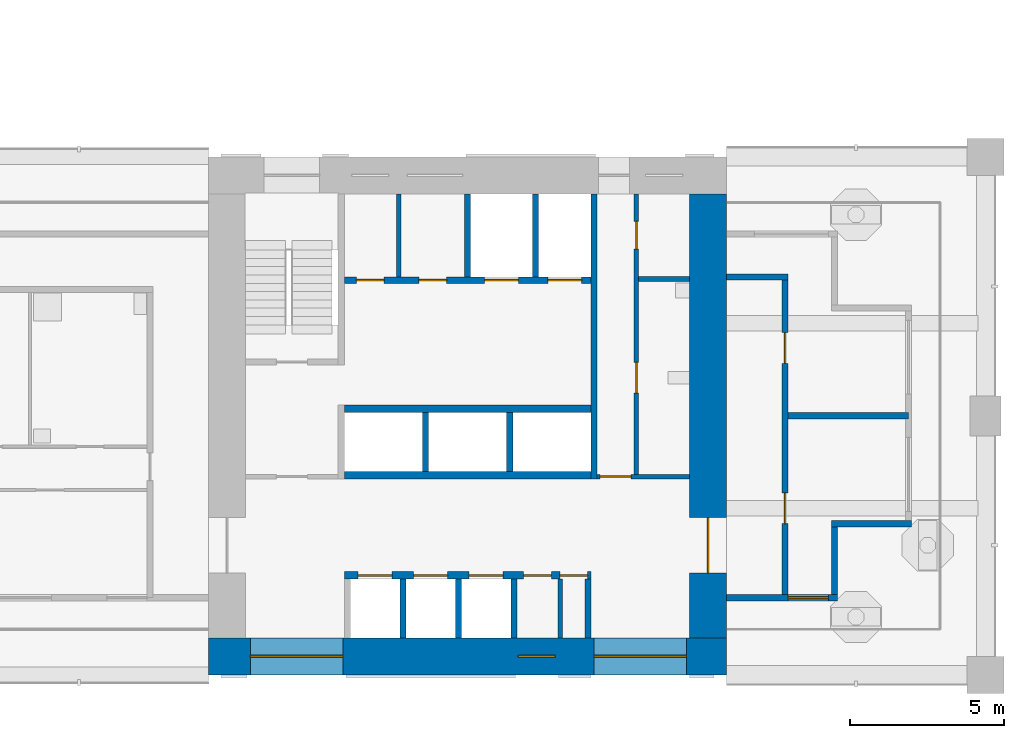
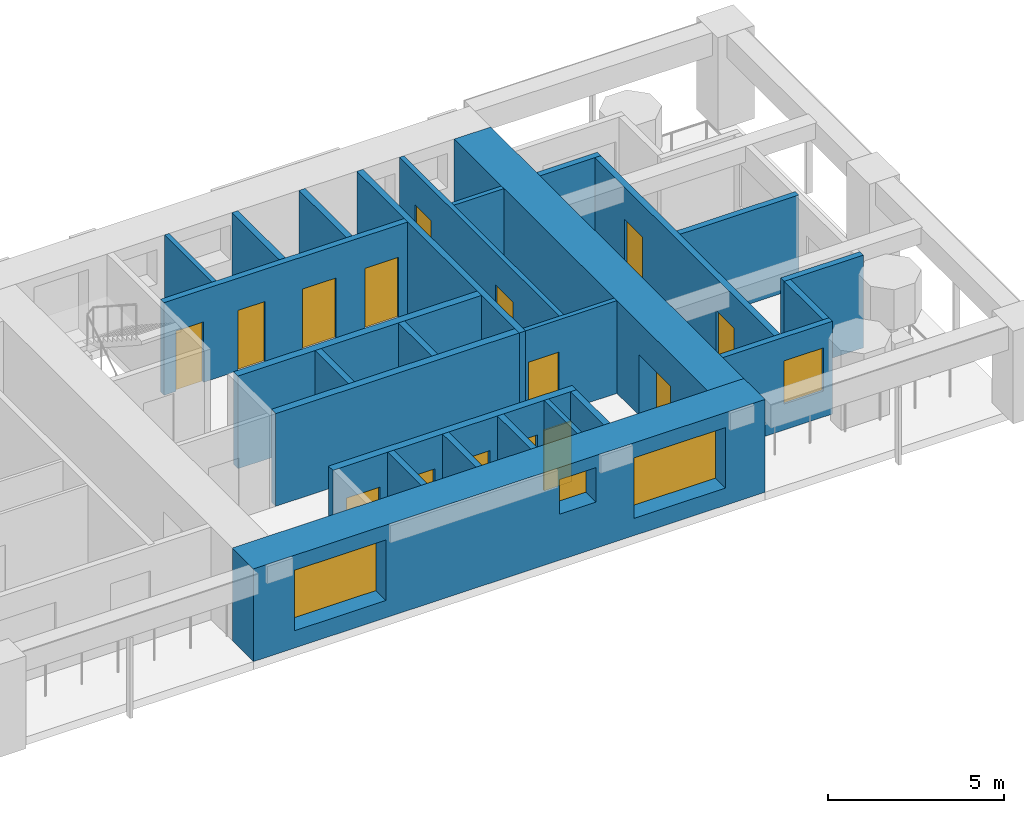
# One storey, part 5 of 18: 26 walls, 15 doors, 4 windows, 19 openings.
"""IFC4 building model written with IfcOpenShell, lengths in metres."""

from ifc_helpers import new_model, si_unit, direction, frame, frame_2d, origin, place, context, subcontext, project, spatial, rectangle, extrude, material, layer, layer_set, type_object, element, fill, save


model = new_model("IFC4")

# Units and contexts
model_context = context("Model", 3, precision=1e-05, world=origin(), true_north=direction((0.0, 1.0)))
body_context = subcontext(model_context, "Body", "Model", "MODEL_VIEW")
ifc_project = project(units=[si_unit("LENGTHUNIT", "METRE"), si_unit("AREAUNIT", "SQUARE_METRE"), si_unit("VOLUMEUNIT", "CUBIC_METRE"), si_unit("PLANEANGLEUNIT", "RADIAN"), si_unit("MASSUNIT", "GRAM", prefix="KILO")], contexts=[model_context])

# Site, building, storey
site_placement = place(None, origin())
site = spatial("IfcSite", under=ifc_project, at=site_placement, CompositionType="ELEMENT")
building_placement = place(site_placement, origin())
building = spatial("IfcBuilding", under=site, at=building_placement, Name="Vermilion Gate Residences", CompositionType="ELEMENT")
storey_placement = place(building_placement, frame((0.0, 0.0, 133.699951171875)))
storey = spatial("IfcBuildingStorey", under=building, at=storey_placement, Name="L34", CompositionType="ELEMENT", Elevation=133.699951171875)

# Walls
ifc_material_1 = material(Name="Masonry blockwork", Category="masonry")
ifc_layer_1 = layer(ifc_material_1, 0.14990234375)
ifc_layer_set_1 = layer_set([ifc_layer_1], Name="BLOCKWORK PARTITION 150 EI 120")
wall_type_1 = type_object("IfcWallType", Name="BLOCKWORK PARTITION 150 EI 120", PredefinedType="PARTITIONING", material=ifc_layer_set_1)
wall_1_placement = place(storey_placement, frame((53.407470703125, 9.60009765625, 0.0), z_axis=(0.0, 0.0, 1.0), x_axis=(0.0, 1.0, 0.0)))
element("IfcWall", 1, at=wall_1_placement, inside=storey, type_object=wall_type_1, Name="Core room partition A34-SR-P0", PredefinedType="PARTITIONING", context=body_context, shape_type="SweptSolid", body=[
    extrude(rectangle(XDim=1.89990234375, YDim=0.14990234375, at=frame_2d((0.949951171875, 0.0))), origin(), (0.0, 0.0, 1.0), 3.219970703125),
])
wall_2_placement = place(storey_placement, frame((48.16259765625, 21.300048828125, 0.0), z_axis=(0.0, 0.0, 1.0), x_axis=(0.0, 1.0, 0.0)))
element("IfcWall", 2, at=wall_2_placement, inside=storey, type_object=wall_type_1, Name="Core room partition A34-NR-P0", PredefinedType="PARTITIONING", context=body_context, shape_type="SweptSolid", body=[
    extrude(rectangle(XDim=2.699951171875, YDim=0.14990234375, at=frame_2d((1.35009765625, 0.0))), origin(), (0.0, 0.0, 1.0), 3.219970703125),
])

# Wall, opening, door
wall_3_placement = place(storey_placement, frame((54.60009765625, 14.824951171875, 0.0), z_axis=(0.0, 0.0, 1.0), x_axis=(1.0, 0.0, 0.0)))
wall_3 = element("IfcWall", 3, at=wall_3_placement, inside=storey, type_object=wall_type_1, Name="Core room partition A34-ES-S", PredefinedType="PARTITIONING", context=body_context, shape_type="SweptSolid", body=[
    extrude(rectangle(XDim=3.0, YDim=0.14990234375, at=frame_2d((1.5, 0.0))), origin(), (0.0, 0.0, 1.0), 3.219970703125),
])
opening_1_placement = place(wall_3_placement, frame((0.10009765625, 0.0, 0.0)))
opening_1 = element("IfcOpeningElement", 4, at=opening_1_placement, cuts=wall_3, Name="Opening DK34014", PredefinedType="OPENING", context=body_context, shape_type="SweptSolid", body=[
    extrude(rectangle(XDim=1.0, YDim=2.10009765625, at=frame_2d((0.5, 1.050048828125))), frame((0.0, 0.0849609375, 0.0), z_axis=(0.0, -1.0, 0.0), x_axis=(1.0, 0.0, 0.0)), (0.0, 0.0, 1.0), 0.169921875),
])
ifc_material_2 = material(Name="Steel", Category="steel")
door_type_1 = type_object("IfcDoorType", Name="FIRE DOOR FD60 1000 X 2100", OperationType="SINGLE_SWING_LEFT", PredefinedType="DOOR", material=ifc_material_2)
door_1_placement = place(opening_1_placement, frame((1.0, 0.0, 0.0), z_axis=(0.0, 0.0, 1.0), x_axis=(-1.0, 0.0, 0.0)))
door_1 = element("IfcDoor", 5, at=door_1_placement, inside=storey, type_object=door_type_1, Name="Service corridor door A34", OperationType="SINGLE_SWING_LEFT", OverallHeight=2.10009765625, OverallWidth=1.0, PredefinedType="DOOR", context=body_context, shape_type="SweptSolid", body=[
    extrude(rectangle(XDim=1.0, YDim=2.10009765625, at=frame_2d((0.5, 1.050048828125))), frame((0.0, 0.02490234375, 0.0), z_axis=(0.0, -1.0, 0.0), x_axis=(1.0, 0.0, 0.0)), (0.0, 0.0, 1.0), 0.050048828125),
])
fill(opening_1, door_1)

# Wall
wall_4_placement = place(storey_placement, frame((55.949951171875, 21.239990234375, 0.0), z_axis=(0.0, 0.0, 1.0), x_axis=(1.0, 0.0, 0.0)))
element("IfcWall", 6, at=wall_4_placement, inside=storey, type_object=wall_type_1, Name="Core room partition A34-ES-P0", PredefinedType="PARTITIONING", context=body_context, shape_type="SweptSolid", body=[
    extrude(rectangle(XDim=1.650146484375, YDim=0.14990234375, at=frame_2d((0.8251953125, 0.0))), origin(), (0.0, 0.0, 1.0), 3.219970703125),
])

# Wall, openings, doors
wall_5_placement = place(storey_placement, frame((55.875, 14.89990234375, 0.0), z_axis=(0.0, 0.0, 1.0), x_axis=(0.0, 1.0, 0.0)))
wall_5 = element("IfcWall", 7, at=wall_5_placement, inside=storey, type_object=wall_type_1, Name="Core room partition A34-ES-W", PredefinedType="PARTITIONING", context=body_context, shape_type="SweptSolid", body=[
    extrude(rectangle(XDim=9.10009765625, YDim=0.14990234375, at=frame_2d((4.550048828125, 0.0))), origin(), (0.0, 0.0, 1.0), 3.219970703125),
])
opening_2_placement = place(wall_5_placement, frame((2.632568359375, 0.0, 0.0)))
opening_2 = element("IfcOpeningElement", 8, at=opening_2_placement, cuts=wall_5, Name="Opening DK34015", PredefinedType="OPENING", context=body_context, shape_type="SweptSolid", body=[
    extrude(rectangle(XDim=1.0, YDim=2.10009765625, at=frame_2d((0.5, 1.050048828125))), frame((0.0, 0.0849609375, 0.0), z_axis=(0.0, -1.0, 0.0), x_axis=(1.0, 0.0, 0.0)), (0.0, 0.0, 1.0), 0.169921875),
])
opening_3_placement = place(wall_5_placement, frame((7.3076171875, 0.0, 0.0)))
opening_3 = element("IfcOpeningElement", 9, at=opening_3_placement, cuts=wall_5, Name="Opening DK34016", PredefinedType="OPENING", context=body_context, shape_type="SweptSolid", body=[
    extrude(rectangle(XDim=0.89990234375, YDim=2.10009765625, at=frame_2d((0.449951171875, 1.050048828125))), frame((0.0, 0.0849609375, 0.0), z_axis=(0.0, -1.0, 0.0), x_axis=(1.0, 0.0, 0.0)), (0.0, 0.0, 1.0), 0.169921875),
])
door_2_placement = place(opening_2_placement, frame((1.0, 0.0, 0.0), z_axis=(0.0, 0.0, 1.0), x_axis=(-1.0, 0.0, 0.0)))
door_2 = element("IfcDoor", 10, at=door_2_placement, inside=storey, type_object=door_type_1, Name="Accessible WC A34", OperationType="SINGLE_SWING_RIGHT", OverallHeight=2.10009765625, OverallWidth=1.0, PredefinedType="DOOR", context=body_context, shape_type="SweptSolid", body=[
    extrude(rectangle(XDim=1.0, YDim=2.10009765625, at=frame_2d((0.5, 1.050048828125))), frame((0.0, 0.02490234375, 0.0), z_axis=(0.0, -1.0, 0.0), x_axis=(1.0, 0.0, 0.0)), (0.0, 0.0, 1.0), 0.050048828125),
])
fill(opening_2, door_2)
ifc_material_3 = material(Name="Steel", Category="steel")
door_type_2 = type_object("IfcDoorType", Name="SERVICE ROOM DOOR FD60 900 X 2100", OperationType="SINGLE_SWING_LEFT", PredefinedType="DOOR", material=ifc_material_3)
door_3_placement = place(opening_3_placement, frame((0.89990234375, 0.0, 0.0), z_axis=(0.0, 0.0, 1.0), x_axis=(-1.0, 0.0, 0.0)))
door_3 = element("IfcDoor", 11, at=door_3_placement, inside=storey, type_object=door_type_2, Name="Communications room A34", OperationType="SINGLE_SWING_LEFT", OverallHeight=2.10009765625, OverallWidth=0.89990234375, PredefinedType="DOOR", context=body_context, shape_type="SweptSolid", body=[
    extrude(rectangle(XDim=0.89990234375, YDim=2.10009765625, at=frame_2d((0.449951171875, 1.050048828125))), frame((0.0, 0.02490234375, 0.0), z_axis=(0.0, -1.0, 0.0), x_axis=(1.0, 0.0, 0.0)), (0.0, 0.0, 1.0), 0.050048828125),
])
fill(opening_3, door_3)

# Wall, opening, window
ifc_material_4 = material(Name="Insulated steel stud wall with terracotta rainscreen", Category="masonry")
ifc_layer_2 = layer(ifc_material_4, 0.199951171875)
ifc_layer_set_2 = layer_set([ifc_layer_2], Name="EXTERNAL WALL 200 TERRACOTTA RAINSCREEN")
wall_type_2 = type_object("IfcWallType", Name="EXTERNAL WALL 200 TERRACOTTA RAINSCREEN", PredefinedType="SOLIDWALL", material=ifc_layer_set_2)
wall_6_placement = place(storey_placement, frame((58.800048828125, 10.89990234375, 0.0), z_axis=(0.0, 0.0, 1.0), x_axis=(1.0, 0.0, 0.0)))
wall_6 = element("IfcWall", 12, at=wall_6_placement, inside=storey, type_object=wall_type_2, Name="External wall", PredefinedType="SOLIDWALL", context=body_context, shape_type="SweptSolid", body=[
    extrude(rectangle(XDim=3.599853515625, YDim=0.199951171875, at=frame_2d((1.7998046875, 0.0))), origin(), (0.0, 0.0, 1.0), 3.219970703125),
])
opening_4_placement = place(wall_6_placement, frame((2.0, 0.0, 0.89990234375)))
opening_4 = element("IfcOpeningElement", 13, at=opening_4_placement, cuts=wall_6, Name="Opening WE34020", PredefinedType="OPENING", context=body_context, shape_type="SweptSolid", body=[
    extrude(rectangle(XDim=1.300048828125, YDim=1.5, at=frame_2d((0.64990234375, 0.75))), frame((0.0, 0.10986328125, 0.0), z_axis=(0.0, -1.0, 0.0), x_axis=(1.0, 0.0, 0.0)), (0.0, 0.0, 1.0), 0.219970703125),
])
ifc_material_5 = material(Name="Aluminium and clear glass", Category="aluminium")
window_type_1 = type_object("IfcWindowType", Name="WINDOW 1300 X 1500", PartitioningType="SINGLE_PANEL", PredefinedType="WINDOW", material=ifc_material_5)
window_1_placement = place(opening_4_placement, origin())
window_1 = element("IfcWindow", 14, at=window_1_placement, inside=storey, type_object=window_type_1, Name="Window", OverallHeight=1.5, OverallWidth=1.300048828125, PartitioningType="SINGLE_PANEL", PredefinedType="WINDOW", context=body_context, shape_type="SweptSolid", body=[
    extrude(rectangle(XDim=1.300048828125, YDim=1.5, at=frame_2d((0.64990234375, 0.75))), frame((0.0, 0.030029296875, 0.0), z_axis=(0.0, -1.0, 0.0), x_axis=(1.0, 0.0, 0.0)), (0.0, 0.0, 1.0), 0.06005859375),
])
fill(opening_4, window_1)

# Walls
wall_7_placement = place(storey_placement, frame((62.300048828125, 11.0, 0.0), z_axis=(0.0, 0.0, 1.0), x_axis=(0.0, 1.0, 0.0)))
element("IfcWall", 15, at=wall_7_placement, inside=storey, type_object=wall_type_2, Name="External wall", PredefinedType="SOLIDWALL", context=body_context, shape_type="SweptSolid", body=[
    extrude(rectangle(XDim=2.199951171875, YDim=0.199951171875, at=frame_2d((1.10009765625, 0.0))), origin(), (0.0, 0.0, 1.0), 3.219970703125),
])
wall_8_placement = place(storey_placement, frame((62.199951171875, 13.300048828125, 0.0), z_axis=(0.0, 0.0, 1.0), x_axis=(1.0, 0.0, 0.0)))
element("IfcWall", 16, at=wall_8_placement, inside=storey, type_object=wall_type_2, Name="External wall", PredefinedType="SOLIDWALL", context=body_context, shape_type="SweptSolid", body=[
    extrude(rectangle(XDim=2.60009765625, YDim=0.199951171875, at=frame_2d((1.300048828125, 0.0))), origin(), (0.0, 0.0, 1.0), 3.219970703125),
])
ifc_material_6 = material(Name="Fire-rated plasterboard on steel studs", Category="steel")
ifc_layer_3 = layer(ifc_material_6, 0.199951171875)
ifc_layer_set_3 = layer_set([ifc_layer_3], Name="PARTY WALL 200 EI 120")
wall_type_3 = type_object("IfcWallType", Name="PARTY WALL 200 EI 120", PredefinedType="PARTITIONING", material=ifc_layer_set_3)
wall_9_placement = place(storey_placement, frame((60.800048828125, 16.800048828125, 0.0), z_axis=(0.0, 0.0, 1.0), x_axis=(1.0, 0.0, 0.0)))
element("IfcWall", 17, at=wall_9_placement, inside=storey, type_object=wall_type_3, Name="Party and corridor wall", PredefinedType="PARTITIONING", context=body_context, shape_type="SweptSolid", body=[
    extrude(rectangle(XDim=3.89990234375, YDim=0.199951171875, at=frame_2d((1.949951171875, 0.0))), origin(), (0.0, 0.0, 1.0), 3.219970703125),
])
wall_10_placement = place(storey_placement, frame((58.800048828125, 21.300048828125, 0.0), z_axis=(0.0, 0.0, 1.0), x_axis=(1.0, 0.0, 0.0)))
element("IfcWall", 18, at=wall_10_placement, inside=storey, type_object=wall_type_3, Name="Party and corridor wall", PredefinedType="PARTITIONING", context=body_context, shape_type="SweptSolid", body=[
    extrude(rectangle(XDim=2.0, YDim=0.199951171875, at=frame_2d((1.0, 0.0))), origin(), (0.0, 0.0, 1.0), 3.219970703125),
])

# Wall, openings, doors
wall_11_placement = place(storey_placement, frame((60.699951171875, 10.89990234375, 0.0), z_axis=(0.0, 0.0, 1.0), x_axis=(0.0, 1.0, 0.0)))
wall_11 = element("IfcWall", 19, at=wall_11_placement, inside=storey, type_object=wall_type_3, Name="Party and corridor wall", PredefinedType="PARTITIONING", context=body_context, shape_type="SweptSolid", body=[
    extrude(rectangle(XDim=10.300048828125, YDim=0.199951171875, at=frame_2d((5.14990234375, 0.0))), origin(), (0.0, 0.0, 1.0), 3.219970703125),
])
opening_5_placement = place(wall_11_placement, frame((2.39990234375, 0.0, 0.0)))
opening_5 = element("IfcOpeningElement", 20, at=opening_5_placement, cuts=wall_11, Name="Opening DA34041", PredefinedType="OPENING", context=body_context, shape_type="SweptSolid", body=[
    extrude(rectangle(XDim=1.0, YDim=2.10009765625, at=frame_2d((0.5, 1.050048828125))), frame((0.0, 0.10986328125, 0.0), z_axis=(0.0, -1.0, 0.0), x_axis=(1.0, 0.0, 0.0)), (0.0, 0.0, 1.0), 0.219970703125),
])
opening_6_placement = place(wall_11_placement, frame((7.60009765625, 0.0, 0.0)))
opening_6 = element("IfcOpeningElement", 21, at=opening_6_placement, cuts=wall_11, Name="Opening DA34042", PredefinedType="OPENING", context=body_context, shape_type="SweptSolid", body=[
    extrude(rectangle(XDim=1.0, YDim=2.10009765625, at=frame_2d((0.5, 1.050048828125))), frame((0.0, 0.10986328125, 0.0), z_axis=(0.0, -1.0, 0.0), x_axis=(1.0, 0.0, 0.0)), (0.0, 0.0, 1.0), 0.219970703125),
])
ifc_material_7 = material(Name="Steel", Category="steel")
door_type_3 = type_object("IfcDoorType", Name="ENTRANCE DOOR 1000 X 2100 FD30", OperationType="SINGLE_SWING_LEFT", PredefinedType="DOOR", material=ifc_material_7)
door_4_placement = place(opening_5_placement, frame((1.0, 0.0, 0.0), z_axis=(0.0, 0.0, 1.0), x_axis=(-1.0, 0.0, 0.0)))
door_4 = element("IfcDoor", 22, at=door_4_placement, inside=storey, type_object=door_type_3, Name="Entrance door", OperationType="SINGLE_SWING_RIGHT", OverallHeight=2.10009765625, OverallWidth=1.0, PredefinedType="DOOR", context=body_context, shape_type="SweptSolid", body=[
    extrude(rectangle(XDim=1.0, YDim=2.10009765625, at=frame_2d((0.5, 1.050048828125))), frame((0.0, 0.02490234375, 0.0), z_axis=(0.0, -1.0, 0.0), x_axis=(1.0, 0.0, 0.0)), (0.0, 0.0, 1.0), 0.050048828125),
])
fill(opening_5, door_4)
door_5_placement = place(opening_6_placement, frame((1.0, 0.0, 0.0), z_axis=(0.0, 0.0, 1.0), x_axis=(-1.0, 0.0, 0.0)))
door_5 = element("IfcDoor", 23, at=door_5_placement, inside=storey, type_object=door_type_3, Name="Entrance door", OperationType="SINGLE_SWING_RIGHT", OverallHeight=2.10009765625, OverallWidth=1.0, PredefinedType="DOOR", context=body_context, shape_type="SweptSolid", body=[
    extrude(rectangle(XDim=1.0, YDim=2.10009765625, at=frame_2d((0.5, 1.050048828125))), frame((0.0, 0.02490234375, 0.0), z_axis=(0.0, -1.0, 0.0), x_axis=(1.0, 0.0, 0.0)), (0.0, 0.0, 1.0), 0.050048828125),
])
fill(opening_6, door_5)

# Walls
ifc_material_8 = material(Name="Concrete C60", Category="concrete")
ifc_layer_4 = layer(ifc_material_8, 0.199951171875)
ifc_layer_set_4 = layer_set([ifc_layer_4], Name="RC CORE INTERNAL WALL 200 C60")
wall_type_4 = type_object("IfcWallType", Name="RC CORE INTERNAL WALL 200 C60", PredefinedType="SHEAR", material=ifc_layer_set_4)
for number, where, z_axis, x_axis, name in (
    (24, (48.300048828125, 9.60009765625, 0.0), (0.0, 0.0, 1.0), (0.0, 1.0, 0.0), "Core internal wall A34-LR-D1"),
    (25, (50.10009765625, 9.60009765625, 0.0), (0.0, 0.0, 1.0), (0.0, 1.0, 0.0), "Core internal wall A34-LR-D2"),
    (26, (51.89990234375, 9.60009765625, 0.0), (0.0, 0.0, 1.0), (0.0, 1.0, 0.0), "Core internal wall A34-LR-D3"),
    (27, (54.300048828125, 9.60009765625, 0.0), (0.0, 0.0, 1.0), (0.0, 1.0, 0.0), "Core internal wall A34-LR-DE"),
    (28, (49.033447265625, 15.0, 0.0), (0.0, 0.0, 1.0), (0.0, 1.0, 0.0), "Core internal wall A34-HR-D1"),
    (29, (51.7666015625, 15.0, 0.0), (0.0, 0.0, 1.0), (0.0, 1.0, 0.0), "Core internal wall A34-HR-D2"),
):
    element("IfcWall", number, at=place(storey_placement, frame(where, z_axis=z_axis, x_axis=x_axis)), inside=storey, type_object=wall_type_4, Name=name, PredefinedType="SHEAR", context=body_context, shape_type="SweptSolid", body=[
        extrude(rectangle(XDim=1.89990234375, YDim=0.199951171875, at=frame_2d((0.949951171875, 0.0))), origin(), (0.0, 0.0, 1.0), 3.219970703125),
    ])
for number, where, z_axis, x_axis, name in (
    (30, (50.39990234375, 21.300048828125, 0.0), (0.0, 0.0, 1.0), (0.0, 1.0, 0.0), "Core internal wall A34-FF-D0"),
    (31, (52.60009765625, 21.300048828125, 0.0), (0.0, 0.0, 1.0), (0.0, 1.0, 0.0), "Core internal wall A34-FF-D1"),
):
    element("IfcWall", number, at=place(storey_placement, frame(where, z_axis=z_axis, x_axis=x_axis)), inside=storey, type_object=wall_type_4, Name=name, PredefinedType="SHEAR", context=body_context, shape_type="SweptSolid", body=[
        extrude(rectangle(XDim=2.699951171875, YDim=0.199951171875, at=frame_2d((1.35009765625, 0.0))), origin(), (0.0, 0.0, 1.0), 3.219970703125),
    ])

# Wall, openings, doors
wall_12_placement = place(storey_placement, frame((46.39990234375, 21.199951171875, 0.0), z_axis=(0.0, 0.0, 1.0), x_axis=(1.0, 0.0, 0.0)))
wall_12 = element("IfcWall", 32, at=wall_12_placement, inside=storey, type_object=wall_type_4, Name="Core internal wall A34-FF-F", PredefinedType="SHEAR", context=body_context, shape_type="SweptSolid", body=[
    extrude(rectangle(XDim=8.0, YDim=0.199951171875, at=frame_2d((4.0, 0.0))), origin(), (0.0, 0.0, 1.0), 3.219970703125),
])
opening_7_placement = place(wall_12_placement, frame((0.393798828125, 0.0, 0.0)))
opening_7 = element("IfcOpeningElement", 33, at=opening_7_placement, cuts=wall_12, Name="Opening DK34008", PredefinedType="OPENING", context=body_context, shape_type="SweptSolid", body=[
    extrude(rectangle(XDim=0.89990234375, YDim=2.10009765625, at=frame_2d((0.449951171875, 1.050048828125))), frame((0.0, 0.10986328125, 0.0), z_axis=(0.0, -1.0, 0.0), x_axis=(1.0, 0.0, 0.0)), (0.0, 0.0, 1.0), 0.219970703125),
])
opening_8_placement = place(wall_12_placement, frame((2.418701171875, 0.0, 0.0)))
opening_8 = element("IfcOpeningElement", 34, at=opening_8_placement, cuts=wall_12, Name="Opening DK34009", PredefinedType="OPENING", context=body_context, shape_type="SweptSolid", body=[
    extrude(rectangle(XDim=0.89990234375, YDim=2.10009765625, at=frame_2d((0.449951171875, 1.050048828125))), frame((0.0, 0.10986328125, 0.0), z_axis=(0.0, -1.0, 0.0), x_axis=(1.0, 0.0, 0.0)), (0.0, 0.0, 1.0), 0.219970703125),
])
opening_9_placement = place(wall_12_placement, frame((4.550048828125, 0.0, 0.0)))
opening_9 = element("IfcOpeningElement", 35, at=opening_9_placement, cuts=wall_12, Name="Opening LD", PredefinedType="OPENING", context=body_context, shape_type="SweptSolid", body=[
    extrude(rectangle(XDim=1.10009765625, YDim=2.10009765625, at=frame_2d((0.550048828125, 1.050048828125))), frame((0.0, 0.10986328125, 0.0), z_axis=(0.0, -1.0, 0.0), x_axis=(1.0, 0.0, 0.0)), (0.0, 0.0, 1.0), 0.219970703125),
])
opening_10_placement = place(wall_12_placement, frame((6.60009765625, 0.0, 0.0)))
opening_10 = element("IfcOpeningElement", 36, at=opening_10_placement, cuts=wall_12, Name="Opening LD", PredefinedType="OPENING", context=body_context, shape_type="SweptSolid", body=[
    extrude(rectangle(XDim=1.10009765625, YDim=2.10009765625, at=frame_2d((0.550048828125, 1.050048828125))), frame((0.0, 0.10986328125, 0.0), z_axis=(0.0, -1.0, 0.0), x_axis=(1.0, 0.0, 0.0)), (0.0, 0.0, 1.0), 0.219970703125),
])
ifc_material_9 = material(Name="Stainless steel", Category="steel")
door_type_4 = type_object("IfcDoorType", Name="LIFT LANDING DOOR E60 1100 X 2100", OperationType="DOUBLE_DOOR_SLIDING", PredefinedType="DOOR", material=ifc_material_9)
door_6_placement = place(opening_9_placement, origin())
door_6 = element("IfcDoor", 37, at=door_6_placement, inside=storey, type_object=door_type_4, Name="Lift landing door LFA1", OperationType="DOUBLE_DOOR_SLIDING", OverallHeight=2.10009765625, OverallWidth=1.10009765625, PredefinedType="DOOR", context=body_context, shape_type="SweptSolid", body=[
    extrude(rectangle(XDim=1.10009765625, YDim=2.10009765625, at=frame_2d((0.550048828125, 1.050048828125))), frame((0.0, 0.02490234375, 0.0), z_axis=(0.0, -1.0, 0.0), x_axis=(1.0, 0.0, 0.0)), (0.0, 0.0, 1.0), 0.050048828125),
])
fill(opening_9, door_6)
door_7_placement = place(opening_10_placement, origin())
door_7 = element("IfcDoor", 38, at=door_7_placement, inside=storey, type_object=door_type_4, Name="Lift landing door LCA1", OperationType="DOUBLE_DOOR_SLIDING", OverallHeight=2.10009765625, OverallWidth=1.10009765625, PredefinedType="DOOR", context=body_context, shape_type="SweptSolid", body=[
    extrude(rectangle(XDim=1.10009765625, YDim=2.10009765625, at=frame_2d((0.550048828125, 1.050048828125))), frame((0.0, 0.02490234375, 0.0), z_axis=(0.0, -1.0, 0.0), x_axis=(1.0, 0.0, 0.0)), (0.0, 0.0, 1.0), 0.050048828125),
])
fill(opening_10, door_7)
door_8_placement = place(opening_7_placement, origin())
door_8 = element("IfcDoor", 39, at=door_8_placement, inside=storey, type_object=door_type_2, Name="Housekeeping store A34", OperationType="SINGLE_SWING_LEFT", OverallHeight=2.10009765625, OverallWidth=0.89990234375, PredefinedType="DOOR", context=body_context, shape_type="SweptSolid", body=[
    extrude(rectangle(XDim=0.89990234375, YDim=2.10009765625, at=frame_2d((0.449951171875, 1.050048828125))), frame((0.0, 0.02490234375, 0.0), z_axis=(0.0, -1.0, 0.0), x_axis=(1.0, 0.0, 0.0)), (0.0, 0.0, 1.0), 0.050048828125),
])
fill(opening_7, door_8)
door_9_placement = place(opening_8_placement, origin())
door_9 = element("IfcDoor", 40, at=door_9_placement, inside=storey, type_object=door_type_2, Name="Mail room A34", OperationType="SINGLE_SWING_LEFT", OverallHeight=2.10009765625, OverallWidth=0.89990234375, PredefinedType="DOOR", context=body_context, shape_type="SweptSolid", body=[
    extrude(rectangle(XDim=0.89990234375, YDim=2.10009765625, at=frame_2d((0.449951171875, 1.050048828125))), frame((0.0, 0.02490234375, 0.0), z_axis=(0.0, -1.0, 0.0), x_axis=(1.0, 0.0, 0.0)), (0.0, 0.0, 1.0), 0.050048828125),
])
fill(opening_8, door_9)

# Wall
wall_13_placement = place(storey_placement, frame((54.5, 14.75, 0.0), z_axis=(0.0, 0.0, 1.0), x_axis=(0.0, 1.0, 0.0)))
element("IfcWall", 41, at=wall_13_placement, inside=storey, type_object=wall_type_4, Name="Core internal wall A34-EDIV", PredefinedType="SHEAR", context=body_context, shape_type="SweptSolid", body=[
    extrude(rectangle(XDim=9.25, YDim=0.199951171875, at=frame_2d((4.625, 0.0))), origin(), (0.0, 0.0, 1.0), 3.219970703125),
])

# Wall, opening, door
ifc_material_10 = material(Name="Concrete C70", Category="concrete")
ifc_layer_5 = layer(ifc_material_10, 1.199951171875)
ifc_layer_set_5 = layer_set([ifc_layer_5], Name="RC CORE WALL 1200 C70")
wall_type_5 = type_object("IfcWallType", Name="RC CORE WALL 1200 C70", PredefinedType="SHEAR", material=ifc_layer_set_5)
wall_14_placement = place(storey_placement, frame((58.199951171875, 9.60009765625, 0.0), z_axis=(0.0, 0.0, 1.0), x_axis=(0.0, 1.0, 0.0)))
wall_14 = element("IfcWall", 42, at=wall_14_placement, inside=storey, type_object=wall_type_5, Name="Core wall A34-OUT-BK", PredefinedType="SHEAR", context=body_context, shape_type="SweptSolid", body=[
    extrude(rectangle(XDim=14.39990234375, YDim=1.199951171875, at=frame_2d((7.199951171875, 0.0))), origin(), (0.0, 0.0, 1.0), 3.219970703125),
])
opening_11_placement = place(wall_14_placement, frame((2.10009765625, 0.0, 0.0)))
opening_11 = element("IfcOpeningElement", 43, at=opening_11_placement, cuts=wall_14, Name="Opening DK34002", PredefinedType="OPENING", context=body_context, shape_type="SweptSolid", body=[
    extrude(rectangle(XDim=1.800048828125, YDim=2.10009765625, at=frame_2d((0.89990234375, 1.050048828125))), frame((0.0, 0.60986328125, 0.0), z_axis=(0.0, -1.0, 0.0), x_axis=(1.0, 0.0, 0.0)), (0.0, 0.0, 1.0), 1.219970703125),
])
ifc_material_11 = material(Name="Steel", Category="steel")
door_type_5 = type_object("IfcDoorType", Name="CORE LOBBY DOOR FD60 1800 X 2100", OperationType="DOUBLE_DOOR_SINGLE_SWING", PredefinedType="DOOR", material=ifc_material_11)
door_10_placement = place(opening_11_placement, origin())
door_10 = element("IfcDoor", 44, at=door_10_placement, inside=storey, type_object=door_type_5, Name="Core lobby door A34", OperationType="DOUBLE_DOOR_SINGLE_SWING", OverallHeight=2.10009765625, OverallWidth=1.800048828125, PredefinedType="DOOR", context=body_context, shape_type="SweptSolid", body=[
    extrude(rectangle(XDim=1.800048828125, YDim=2.10009765625, at=frame_2d((0.89990234375, 1.050048828125))), frame((0.0, 0.02490234375, 0.0), z_axis=(0.0, -1.0, 0.0), x_axis=(1.0, 0.0, 0.0)), (0.0, 0.0, 1.0), 0.050048828125),
])
fill(opening_11, door_10)

# Wall, openings, windows
ifc_material_12 = material(Name="Concrete C70 red-oxide pigmented", Category="concrete")
ifc_layer_6 = layer(ifc_material_12, 1.199951171875)
ifc_layer_set_6 = layer_set([ifc_layer_6], Name="RC CORE WALL 1200 C70 RED OXIDE")
wall_type_6 = type_object("IfcWallType", Name="RC CORE WALL 1200 C70 RED OXIDE", PredefinedType="SHEAR", material=ifc_layer_set_6)
wall_15_placement = place(storey_placement, frame((42.0, 9.0, 0.0), z_axis=(0.0, 0.0, 1.0), x_axis=(1.0, 0.0, 0.0)))
wall_15 = element("IfcWall", 45, at=wall_15_placement, inside=storey, type_object=wall_type_6, Name="Core wall A34-OUT-B0", PredefinedType="SHEAR", context=body_context, shape_type="SweptSolid", body=[
    extrude(rectangle(XDim=16.800048828125, YDim=1.199951171875, at=frame_2d((8.39990234375, 0.0))), origin(), (0.0, 0.0, 1.0), 3.219970703125),
])
opening_12_placement = place(wall_15_placement, frame((1.35009765625, 0.0, 0.60009765625)))
opening_12 = element("IfcOpeningElement", 46, at=opening_12_placement, cuts=wall_15, Name="Opening WKA3401", PredefinedType="OPENING", context=body_context, shape_type="SweptSolid", body=[
    extrude(rectangle(XDim=3.0, YDim=2.10009765625, at=frame_2d((1.5, 1.050048828125))), frame((0.0, 0.60986328125, 0.0), z_axis=(0.0, -1.0, 0.0), x_axis=(1.0, 0.0, 0.0)), (0.0, 0.0, 1.0), 1.219970703125),
])
opening_13_placement = place(wall_15_placement, frame((10.050048828125, 0.0, 1.60009765625)))
opening_13 = element("IfcOpeningElement", 47, at=opening_13_placement, cuts=wall_15, Name="Opening WKA3402", PredefinedType="OPENING", context=body_context, shape_type="SweptSolid", body=[
    extrude(rectangle(XDim=1.199951171875, YDim=1.199951171875, at=frame_2d((0.60009765625, 0.60009765625))), frame((0.0, 0.60986328125, 0.0), z_axis=(0.0, -1.0, 0.0), x_axis=(1.0, 0.0, 0.0)), (0.0, 0.0, 1.0), 1.219970703125),
])
opening_14_placement = place(wall_15_placement, frame((12.5, 0.0, 0.60009765625)))
opening_14 = element("IfcOpeningElement", 48, at=opening_14_placement, cuts=wall_15, Name="Opening WKA3403", PredefinedType="OPENING", context=body_context, shape_type="SweptSolid", body=[
    extrude(rectangle(XDim=3.0, YDim=2.10009765625, at=frame_2d((1.5, 1.050048828125))), frame((0.0, 0.60986328125, 0.0), z_axis=(0.0, -1.0, 0.0), x_axis=(1.0, 0.0, 0.0)), (0.0, 0.0, 1.0), 1.219970703125),
])
ifc_material_13 = material(Name="Aluminium and clear glass", Category="aluminium")
window_type_2 = type_object("IfcWindowType", Name="CORE LOBBY WINDOW 3000 X 2100", PartitioningType="SINGLE_PANEL", PredefinedType="WINDOW", material=ifc_material_13)
window_2_placement = place(opening_12_placement, origin())
window_2 = element("IfcWindow", 49, at=window_2_placement, inside=storey, type_object=window_type_2, Name="Core lobby window", OverallHeight=2.10009765625, OverallWidth=3.0, PartitioningType="SINGLE_PANEL", PredefinedType="WINDOW", context=body_context, shape_type="SweptSolid", body=[
    extrude(rectangle(XDim=3.0, YDim=2.10009765625, at=frame_2d((1.5, 1.050048828125))), frame((0.0, 0.030029296875, 0.0), z_axis=(0.0, -1.0, 0.0), x_axis=(1.0, 0.0, 0.0)), (0.0, 0.0, 1.0), 0.06005859375),
])
fill(opening_12, window_2)
window_3_placement = place(opening_14_placement, origin())
window_3 = element("IfcWindow", 50, at=window_3_placement, inside=storey, type_object=window_type_2, Name="Core lobby window", OverallHeight=2.10009765625, OverallWidth=3.0, PartitioningType="SINGLE_PANEL", PredefinedType="WINDOW", context=body_context, shape_type="SweptSolid", body=[
    extrude(rectangle(XDim=3.0, YDim=2.10009765625, at=frame_2d((1.5, 1.050048828125))), frame((0.0, 0.030029296875, 0.0), z_axis=(0.0, -1.0, 0.0), x_axis=(1.0, 0.0, 0.0)), (0.0, 0.0, 1.0), 0.06005859375),
])
fill(opening_14, window_3)
ifc_material_14 = material(Name="Aluminium frame with louvre blades", Category="aluminium")
window_type_3 = type_object("IfcWindowType", Name="CORE LOUVRE 1200 X 1200", PartitioningType="SINGLE_PANEL", PredefinedType="WINDOW", material=ifc_material_14)
window_4_placement = place(opening_13_placement, origin())
window_4 = element("IfcWindow", 51, at=window_4_placement, inside=storey, type_object=window_type_3, Name="Core louvre", OverallHeight=1.199951171875, OverallWidth=1.199951171875, PartitioningType="SINGLE_PANEL", PredefinedType="WINDOW", context=body_context, shape_type="SweptSolid", body=[
    extrude(rectangle(XDim=1.199951171875, YDim=1.199951171875, at=frame_2d((0.60009765625, 0.60009765625))), frame((0.0, 0.030029296875, 0.0), z_axis=(0.0, -1.0, 0.0), x_axis=(1.0, 0.0, 0.0)), (0.0, 0.0, 1.0), 0.06005859375),
])
fill(opening_13, window_4)

# Wall, openings, doors
ifc_material_15 = material(Name="Concrete C60", Category="concrete")
ifc_layer_7 = layer(ifc_material_15, 0.25)
ifc_layer_set_7 = layer_set([ifc_layer_7], Name="RC LIFT SHAFT WALL 250 C60")
wall_type_7 = type_object("IfcWallType", Name="RC LIFT SHAFT WALL 250 C60", PredefinedType="SHEAR", material=ifc_layer_set_7)
wall_16_placement = place(storey_placement, frame((46.39990234375, 11.625, 0.0), z_axis=(0.0, 0.0, 1.0), x_axis=(1.0, 0.0, 0.0)))
wall_16 = element("IfcWall", 52, at=wall_16_placement, inside=storey, type_object=wall_type_7, Name="Lift shaft wall A34-LR-F", PredefinedType="SHEAR", context=body_context, shape_type="SweptSolid", body=[
    extrude(rectangle(XDim=8.0, YDim=0.25, at=frame_2d((4.0, 0.0))), origin(), (0.0, 0.0, 1.0), 3.219970703125),
])
opening_15_placement = place(wall_16_placement, frame((0.449951171875, 0.0, 0.0)))
opening_15 = element("IfcOpeningElement", 53, at=opening_15_placement, cuts=wall_16, Name="Opening LD", PredefinedType="OPENING", context=body_context, shape_type="SweptSolid", body=[
    extrude(rectangle(XDim=1.10009765625, YDim=2.10009765625, at=frame_2d((0.550048828125, 1.050048828125))), frame((0.0, 0.135009765625, 0.0), z_axis=(0.0, -1.0, 0.0), x_axis=(1.0, 0.0, 0.0)), (0.0, 0.0, 1.0), 0.27001953125),
])
opening_16_placement = place(wall_16_placement, frame((2.25, 0.0, 0.0)))
opening_16 = element("IfcOpeningElement", 54, at=opening_16_placement, cuts=wall_16, Name="Opening LD", PredefinedType="OPENING", context=body_context, shape_type="SweptSolid", body=[
    extrude(rectangle(XDim=1.10009765625, YDim=2.10009765625, at=frame_2d((0.550048828125, 1.050048828125))), frame((0.0, 0.135009765625, 0.0), z_axis=(0.0, -1.0, 0.0), x_axis=(1.0, 0.0, 0.0)), (0.0, 0.0, 1.0), 0.27001953125),
])
opening_17_placement = place(wall_16_placement, frame((4.050048828125, 0.0, 0.0)))
opening_17 = element("IfcOpeningElement", 55, at=opening_17_placement, cuts=wall_16, Name="Opening LD", PredefinedType="OPENING", context=body_context, shape_type="SweptSolid", body=[
    extrude(rectangle(XDim=1.10009765625, YDim=2.10009765625, at=frame_2d((0.550048828125, 1.050048828125))), frame((0.0, 0.135009765625, 0.0), z_axis=(0.0, -1.0, 0.0), x_axis=(1.0, 0.0, 0.0)), (0.0, 0.0, 1.0), 0.27001953125),
])
opening_18_placement = place(wall_16_placement, frame((5.816162109375, 0.0, 0.0)))
opening_18 = element("IfcOpeningElement", 56, at=opening_18_placement, cuts=wall_16, Name="Opening DK34006", PredefinedType="OPENING", context=body_context, shape_type="SweptSolid", body=[
    extrude(rectangle(XDim=0.89990234375, YDim=2.10009765625, at=frame_2d((0.449951171875, 1.050048828125))), frame((0.0, 0.135009765625, 0.0), z_axis=(0.0, -1.0, 0.0), x_axis=(1.0, 0.0, 0.0)), (0.0, 0.0, 1.0), 0.27001953125),
])
opening_19_placement = place(wall_16_placement, frame((6.9912109375, 0.0, 0.0)))
opening_19 = element("IfcOpeningElement", 57, at=opening_19_placement, cuts=wall_16, Name="Opening DK34007", PredefinedType="OPENING", context=body_context, shape_type="SweptSolid", body=[
    extrude(rectangle(XDim=0.89990234375, YDim=2.10009765625, at=frame_2d((0.449951171875, 1.050048828125))), frame((0.0, 0.135009765625, 0.0), z_axis=(0.0, -1.0, 0.0), x_axis=(1.0, 0.0, 0.0)), (0.0, 0.0, 1.0), 0.27001953125),
])
door_11_placement = place(opening_15_placement, origin())
door_11 = element("IfcDoor", 58, at=door_11_placement, inside=storey, type_object=door_type_4, Name="Lift landing door LRA1", OperationType="DOUBLE_DOOR_SLIDING", OverallHeight=2.10009765625, OverallWidth=1.10009765625, PredefinedType="DOOR", context=body_context, shape_type="SweptSolid", body=[
    extrude(rectangle(XDim=1.10009765625, YDim=2.10009765625, at=frame_2d((0.550048828125, 1.050048828125))), frame((0.0, 0.02490234375, 0.0), z_axis=(0.0, -1.0, 0.0), x_axis=(1.0, 0.0, 0.0)), (0.0, 0.0, 1.0), 0.050048828125),
])
fill(opening_15, door_11)
door_12_placement = place(opening_16_placement, origin())
door_12 = element("IfcDoor", 59, at=door_12_placement, inside=storey, type_object=door_type_4, Name="Lift landing door LRA2", OperationType="DOUBLE_DOOR_SLIDING", OverallHeight=2.10009765625, OverallWidth=1.10009765625, PredefinedType="DOOR", context=body_context, shape_type="SweptSolid", body=[
    extrude(rectangle(XDim=1.10009765625, YDim=2.10009765625, at=frame_2d((0.550048828125, 1.050048828125))), frame((0.0, 0.02490234375, 0.0), z_axis=(0.0, -1.0, 0.0), x_axis=(1.0, 0.0, 0.0)), (0.0, 0.0, 1.0), 0.050048828125),
])
fill(opening_16, door_12)
door_13_placement = place(opening_17_placement, origin())
door_13 = element("IfcDoor", 60, at=door_13_placement, inside=storey, type_object=door_type_4, Name="Lift landing door LRA3", OperationType="DOUBLE_DOOR_SLIDING", OverallHeight=2.10009765625, OverallWidth=1.10009765625, PredefinedType="DOOR", context=body_context, shape_type="SweptSolid", body=[
    extrude(rectangle(XDim=1.10009765625, YDim=2.10009765625, at=frame_2d((0.550048828125, 1.050048828125))), frame((0.0, 0.02490234375, 0.0), z_axis=(0.0, -1.0, 0.0), x_axis=(1.0, 0.0, 0.0)), (0.0, 0.0, 1.0), 0.050048828125),
])
fill(opening_17, door_13)
door_14_placement = place(opening_18_placement, origin())
door_14 = element("IfcDoor", 61, at=door_14_placement, inside=storey, type_object=door_type_2, Name="Electrical room A34", OperationType="SINGLE_SWING_LEFT", OverallHeight=2.10009765625, OverallWidth=0.89990234375, PredefinedType="DOOR", context=body_context, shape_type="SweptSolid", body=[
    extrude(rectangle(XDim=0.89990234375, YDim=2.10009765625, at=frame_2d((0.449951171875, 1.050048828125))), frame((0.0, 0.02490234375, 0.0), z_axis=(0.0, -1.0, 0.0), x_axis=(1.0, 0.0, 0.0)), (0.0, 0.0, 1.0), 0.050048828125),
])
fill(opening_18, door_14)
door_15_placement = place(opening_19_placement, origin())
door_15 = element("IfcDoor", 62, at=door_15_placement, inside=storey, type_object=door_type_2, Name="Communications room A34", OperationType="SINGLE_SWING_LEFT", OverallHeight=2.10009765625, OverallWidth=0.89990234375, PredefinedType="DOOR", context=body_context, shape_type="SweptSolid", body=[
    extrude(rectangle(XDim=0.89990234375, YDim=2.10009765625, at=frame_2d((0.449951171875, 1.050048828125))), frame((0.0, 0.02490234375, 0.0), z_axis=(0.0, -1.0, 0.0), x_axis=(1.0, 0.0, 0.0)), (0.0, 0.0, 1.0), 0.050048828125),
])
fill(opening_19, door_15)

# Walls
for number, where, z_axis, x_axis, name in (
    (63, (46.39990234375, 14.875, 0.0), (0.0, 0.0, 1.0), (1.0, 0.0, 0.0), "Lift shaft wall A34-HR-F"),
    (64, (46.39990234375, 17.02490234375, 0.0), (0.0, 0.0, 1.0), (1.0, 0.0, 0.0), "Lift shaft wall A34-HR-B"),
):
    element("IfcWall", number, at=place(storey_placement, frame(where, z_axis=z_axis, x_axis=x_axis)), inside=storey, type_object=wall_type_7, Name=name, PredefinedType="SHEAR", context=body_context, shape_type="SweptSolid", body=[
        extrude(rectangle(XDim=8.0, YDim=0.25, at=frame_2d((4.0, 0.0))), origin(), (0.0, 0.0, 1.0), 3.219970703125),
    ])

save(model, "model.ifc")
